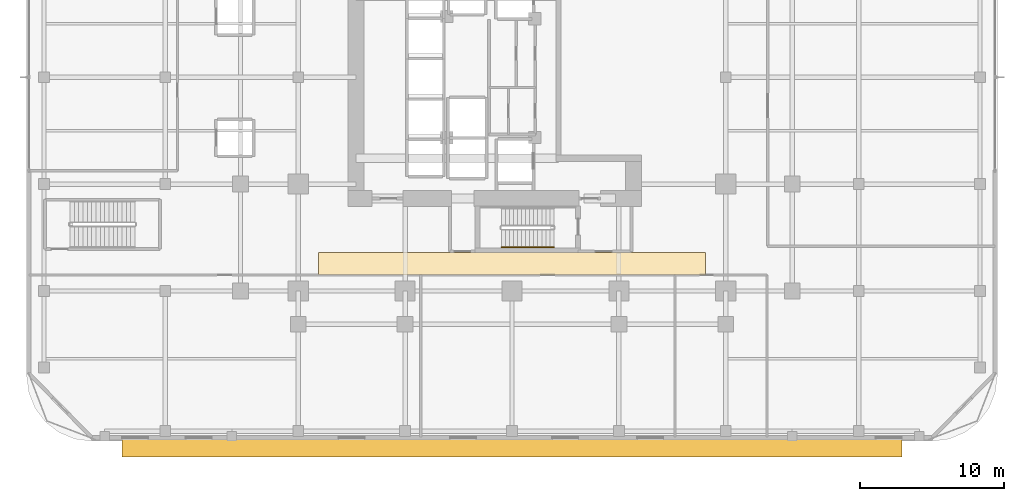
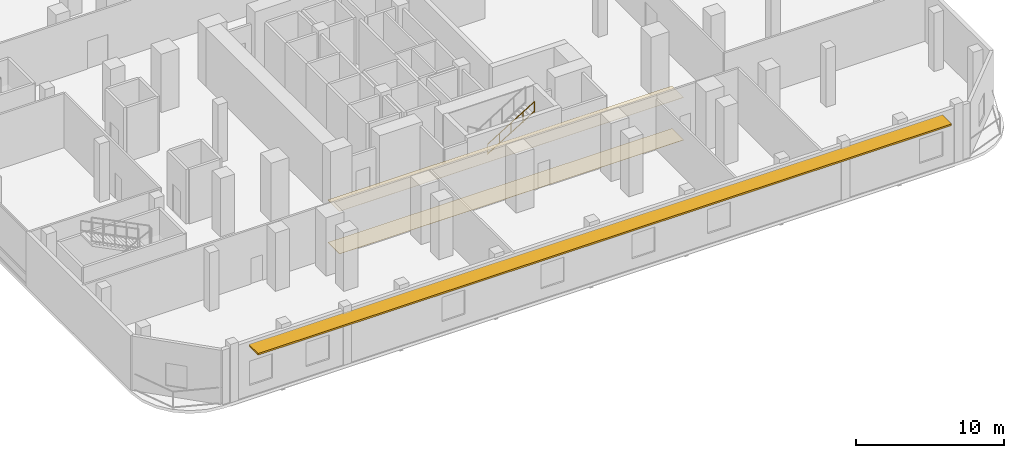
# One storey, part 15 of 19: 2 coverings, 1 railing, 1 shading device.
"""IFC4 building model written with IfcOpenShell, lengths in metres."""

from ifc_helpers import new_model, si_unit, direction, frame, origin, origin_2d, place, context, subcontext, project, spatial, polyline, rectangle, outline, extrude, material, layer, layer_set, type_object, element, save


model = new_model("IFC4")

# Units and contexts
model_context = context("Model", 3, precision=1e-05, world=origin(), true_north=direction((0.0, 1.0)))
body_context = subcontext(model_context, "Body", "Model", "MODEL_VIEW")
ifc_project = project(units=[si_unit("LENGTHUNIT", "METRE"), si_unit("AREAUNIT", "SQUARE_METRE"), si_unit("VOLUMEUNIT", "CUBIC_METRE"), si_unit("PLANEANGLEUNIT", "RADIAN"), si_unit("MASSUNIT", "GRAM", prefix="KILO")], contexts=[model_context])

# Site, building, storey
site_placement = place(None, origin())
site = spatial("IfcSite", under=ifc_project, at=site_placement, CompositionType="ELEMENT")
building_placement = place(site_placement, origin())
building = spatial("IfcBuilding", under=site, at=building_placement, Name="Khorvyn Point Tower", CompositionType="ELEMENT")
storey_placement = place(building_placement, frame((0.0, 0.0, 21.60009765625)))
storey = spatial("IfcBuildingStorey", under=building, at=storey_placement, Name="L06", CompositionType="ELEMENT", Elevation=21.60009765625)

# Shading device
ifc_material_1 = material(Name="Bronze anodised aluminium 6063-T6", Category="aluminium")
ifc_layer_1 = layer(ifc_material_1, 0.139892578125)
ifc_layer_set_1 = layer_set([ifc_layer_1], Name="Anodised Aluminium Horizontal Monsoon Sunshade Canopy")
shading_device_type = type_object("IfcShadingDeviceType", Name="Anodised Aluminium Horizontal Monsoon Sunshade Canopy", PredefinedType="AWNING", material=ifc_layer_set_1)
shading_device_placement = place(storey_placement, frame((0.0, 0.0, 4.059814453125)))
element("IfcShadingDevice", 1, at=shading_device_placement, inside=storey, type_object=shading_device_type, Name="L06 South Classroom Monsoon Sunshade", PredefinedType="AWNING", context=body_context, shape_type="SweptSolid", body=[
    extrude(outline(polyline([(-27.0, -26.280029296875), (27.0, -26.280029296875), (27.0, -25.030029296875), (-27.0, -25.030029296875), (-27.0, -26.280029296875)])), origin(), (0.0, 0.0, 1.0), 0.14013671875),
])

# Coverings
ifc_material_2 = material(Name="Mineral-fibre acoustic ceiling board", Category="gypsum")
ifc_layer_2 = layer(ifc_material_2, 0.02001953125)
ifc_layer_set_2 = layer_set([ifc_layer_2], Name="Perforated Mineral-Fibre Acoustic Suspended Ceiling 20")
covering_type_1 = type_object("IfcCoveringType", Name="Perforated Mineral-Fibre Acoustic Suspended Ceiling 20", PredefinedType="CEILING", material=ifc_layer_set_2)
covering_1_placement = place(storey_placement, frame((0.0, 0.0, 3.5)))
element("IfcCovering", 2, at=covering_1_placement, inside=storey, type_object=covering_type_1, Name="L06 South Corridor Acoustic Ceiling", PredefinedType="CEILING", context=body_context, shape_type="SweptSolid", body=[
    extrude(outline(polyline([(-13.39990234375, -13.7099609375), (13.39990234375, -13.7099609375), (13.39990234375, -12.139892578125), (-13.39990234375, -12.139892578125), (-13.39990234375, -13.7099609375)])), origin(), (0.0, 0.0, 1.0), 0.02001953125),
])
ifc_material_3 = material(Name="Vitrified porcelain terrazzo tile", Category="ceramic")
ifc_layer_3 = layer(ifc_material_3, 0.01806640625)
ifc_layer_set_3 = layer_set([ifc_layer_3], Name="Porcelain Terrazzo Corridor Floor Finish Tile 18")
covering_type_2 = type_object("IfcCoveringType", Name="Porcelain Terrazzo Corridor Floor Finish Tile 18", PredefinedType="FLOORING", material=ifc_layer_set_3)
covering_2_placement = place(storey_placement, origin())
element("IfcCovering", 3, at=covering_2_placement, inside=storey, type_object=covering_type_2, Name="L06 South Corridor Terrazzo Flooring", PredefinedType="FLOORING", context=body_context, shape_type="SweptSolid", body=[
    extrude(outline(polyline([(-13.39990234375, -13.7099609375), (13.39990234375, -13.7099609375), (13.39990234375, -12.139892578125), (-13.39990234375, -12.139892578125), (-13.39990234375, -13.7099609375)])), origin(), (0.0, 0.0, 1.0), 0.017822265625),
])

# Railing
ifc_material_4 = material(Name="Stainless steel 1.4301", Category="steel")
railing_type = type_object("IfcRailingType", Name="Stainless Steel 304 Stair Pitch Handrail 900", PredefinedType="HANDRAIL", material=ifc_material_4)
railing_placement = place(storey_placement, frame((-0.739990234375, -11.77001953125, 2.5712890625)))
element("IfcRailing", 4, at=railing_placement, inside=storey, type_object=railing_type, Name="L06 ST-01 stair handrail 2", PredefinedType="HANDRAIL", context=body_context, shape_type="SweptSolid", body=[
    extrude(rectangle(XDim=0.048095703125, YDim=0.048095703125, at=origin_2d()), frame((0.0, 0.0, 0.8759765625), z_axis=(0.852850264322, 0.0, 0.5221555579), x_axis=(0.0, 1.0, 0.0)), (0.0, 0.0, 1.0), 4.267822265625),
    extrude(rectangle(XDim=0.048095703125, YDim=0.048095703125, at=origin_2d()), frame((0.0, 0.0, 0.080078125), z_axis=(0.852850264322, 0.0, 0.5221555579), x_axis=(0.0, 1.0, 0.0)), (0.0, 0.0, 1.0), 4.267822265625),
    extrude(rectangle(XDim=0.0419921875, YDim=0.0419921875, at=origin_2d()), origin(), (0.0, 0.0, 1.0), 0.851806640625),
    extrude(rectangle(XDim=0.0419921875, YDim=0.0419921875, at=origin_2d()), frame((0.909912109375, 0.0, 0.55712890625)), (0.0, 0.0, 1.0), 0.851806640625),
    extrude(rectangle(XDim=0.0419921875, YDim=0.0419921875, at=origin_2d()), frame((1.81982421875, 0.0, 1.1142578125)), (0.0, 0.0, 1.0), 0.851806640625),
    extrude(rectangle(XDim=0.0419921875, YDim=0.0419921875, at=origin_2d()), frame((2.72998046875, 0.0, 1.67138671875)), (0.0, 0.0, 1.0), 0.851806640625),
    extrude(rectangle(XDim=0.0419921875, YDim=0.0419921875, at=origin_2d()), frame((3.639892578125, 0.0, 2.228515625)), (0.0, 0.0, 1.0), 0.851806640625),
])

save(model, "model.ifc")
